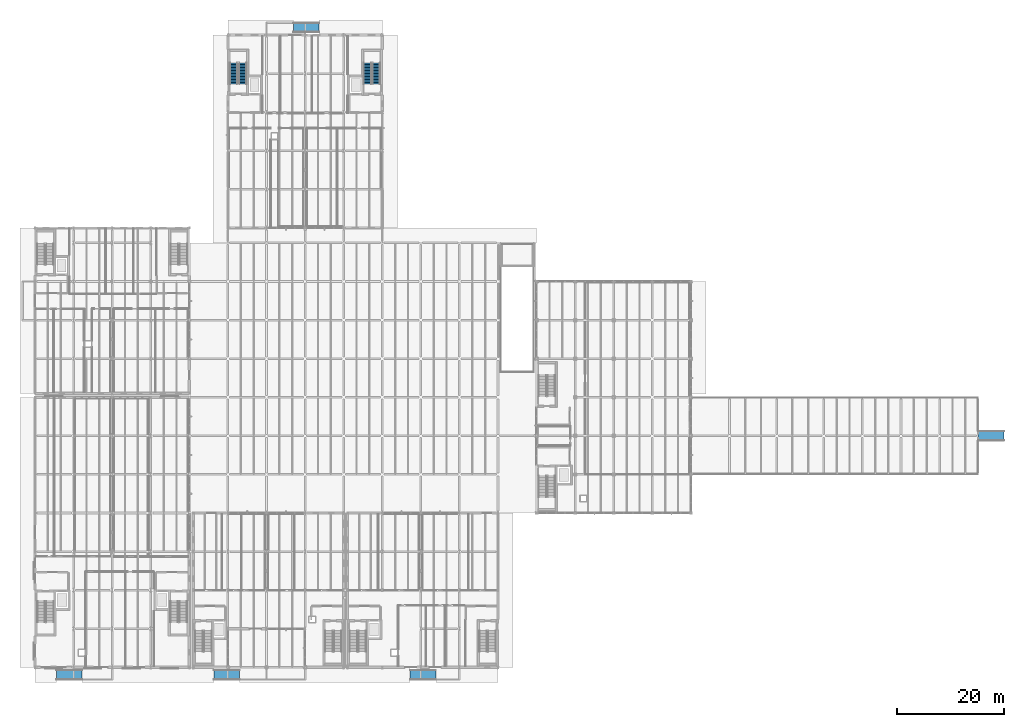
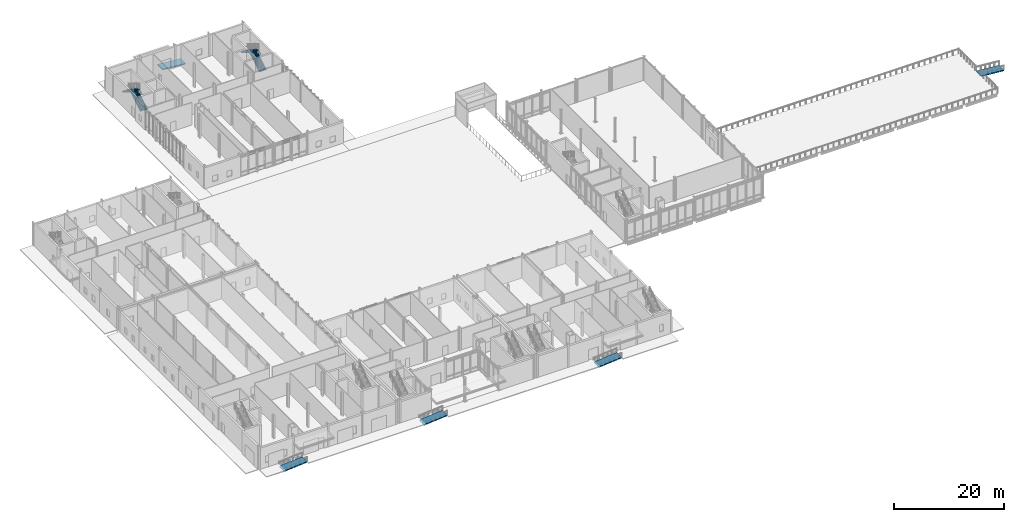
# One storey, part 72 of 89: 5 ramp flights, 4 stair flights, 7 elements without a shape of their own.
"""IFC4 building model written with IfcOpenShell, lengths in metres."""

from ifc_helpers import new_model, si_unit, direction, frame, origin, place, context, subcontext, project, spatial, polyline, outline, extrude, material, layer, layer_set, type_object, element, aggregate, save


model = new_model("IFC4")

# Units and contexts
model_context = context("Model", 3, precision=1e-05, world=origin(), true_north=direction((0.0, 1.0)))
body_context = subcontext(model_context, "Body", "Model", "MODEL_VIEW")
ifc_project = project(units=[si_unit("LENGTHUNIT", "METRE"), si_unit("AREAUNIT", "SQUARE_METRE"), si_unit("VOLUMEUNIT", "CUBIC_METRE"), si_unit("PLANEANGLEUNIT", "RADIAN"), si_unit("MASSUNIT", "GRAM", prefix="KILO")], contexts=[model_context])

# Site, building, storey
site_placement = place(None, origin())
site = spatial("IfcSite", under=ifc_project, at=site_placement, CompositionType="ELEMENT")
building_placement = place(site_placement, origin())
building = spatial("IfcBuilding", under=site, at=building_placement, Name="Zarrinpeak Specialist Clinic", CompositionType="ELEMENT")
storey_placement = place(building_placement, origin())
storey = spatial("IfcBuildingStorey", under=building, at=storey_placement, Name="L00", CompositionType="ELEMENT", Elevation=0.0)

# Stair, stair flights
ifc_material = material(Name="Concrete C35/45", Category="concrete")
stair_type = type_object("IfcStairType", Name="ST-DOG", PredefinedType="HALF_TURN_STAIR", material=ifc_material)
stair_1_placement = place(storey_placement, origin())
stair_1 = element("IfcStair", 1, at=stair_1_placement, inside=storey, type_object=stair_type, Name="L00 Protected Exit Stair ST-11", PredefinedType="HALF_TURN_STAIR")
stair_flight_type = type_object("IfcStairFlightType", Name="STF-150", PredefinedType="STRAIGHT", material=ifc_material)
stair_flight_1_placement = place(storey_placement, frame((38.75, 108.85009765625, 0.0), z_axis=(0.0, 0.0, 1.0), x_axis=(0.0, 1.0, 0.0)))
stair_flight_1 = element("IfcStairFlight", 2, at=stair_flight_1_placement, type_object=stair_flight_type, Name="ST-11 flight 1", NumberOfRisers=15, NumberOfTreads=14, PredefinedType="STRAIGHT", RiserHeight=0.173333333, TreadLength=0.28, context=body_context, shape_type="SweptSolid", body=[
    extrude(outline(polyline([(0.0, 0.0), (0.0, 0.17333984375), (0.280029296875, 0.17333984375), (0.280029296875, 0.3466796875), (0.56005859375, 0.3466796875), (0.56005859375, 0.52001953125), (0.840087890625, 0.52001953125), (0.840087890625, 0.693359375), (1.1201171875, 0.693359375), (1.1201171875, 0.86669921875), (1.39990234375, 0.86669921875), (1.39990234375, 1.0400390625), (1.679931640625, 1.0400390625), (1.679931640625, 1.21337890625), (1.9599609375, 1.21337890625), (1.9599609375, 1.38671875), (2.239990234375, 1.38671875), (2.239990234375, 1.56005859375), (2.52001953125, 1.56005859375), (2.52001953125, 1.7333984375), (2.800048828125, 1.7333984375), (2.800048828125, 1.90673828125), (3.080078125, 1.90673828125), (3.080078125, 2.080078125), (3.360107421875, 2.080078125), (3.360107421875, 2.25341796875), (3.639892578125, 2.25341796875), (3.639892578125, 2.4267578125), (3.919921875, 2.4267578125), (3.919921875, 2.60009765625), (3.919921875, 2.250244140625), (0.284912109375, 0.0), (0.0, 0.0)])), frame((0.0, 0.75, 0.0), z_axis=(0.0, -1.0, 0.0), x_axis=(1.0, 0.0, 0.0)), (0.0, 0.0, 1.0), 1.5),
])
stair_flight_2_placement = place(storey_placement, frame((37.10009765625, 112.77001953125, 2.60009765625), z_axis=(0.0, 0.0, 1.0), x_axis=(0.0, -1.0, 0.0)))
stair_flight_2 = element("IfcStairFlight", 3, at=stair_flight_2_placement, type_object=stair_flight_type, Name="ST-11 flight 2", NumberOfRisers=15, NumberOfTreads=14, PredefinedType="STRAIGHT", RiserHeight=0.173333333, TreadLength=0.28, context=body_context, shape_type="SweptSolid", body=[
    extrude(outline(polyline([(0.0, 0.0), (0.0, 0.17333984375), (0.280029296875, 0.17333984375), (0.280029296875, 0.3466796875), (0.56005859375, 0.3466796875), (0.56005859375, 0.52001953125), (0.840087890625, 0.52001953125), (0.840087890625, 0.693359375), (1.1201171875, 0.693359375), (1.1201171875, 0.86669921875), (1.39990234375, 0.86669921875), (1.39990234375, 1.0400390625), (1.679931640625, 1.0400390625), (1.679931640625, 1.21337890625), (1.9599609375, 1.21337890625), (1.9599609375, 1.38671875), (2.239990234375, 1.38671875), (2.239990234375, 1.56005859375), (2.52001953125, 1.56005859375), (2.52001953125, 1.7333984375), (2.800048828125, 1.7333984375), (2.800048828125, 1.90673828125), (3.080078125, 1.90673828125), (3.080078125, 2.080078125), (3.360107421875, 2.080078125), (3.360107421875, 2.25341796875), (3.639892578125, 2.25341796875), (3.639892578125, 2.4267578125), (3.919921875, 2.4267578125), (3.919921875, 2.60009765625), (3.919921875, 2.250244140625), (0.284912109375, 0.0), (0.0, 0.0)])), frame((0.0, 0.75, 0.0), z_axis=(0.0, -1.0, 0.0), x_axis=(1.0, 0.0, 0.0)), (0.0, 0.0, 1.0), 1.5),
])
aggregate(stair_1, [stair_flight_1, stair_flight_2])

stair_2_placement = place(storey_placement, origin())
stair_2 = element("IfcStair", 4, at=stair_2_placement, inside=storey, type_object=stair_type, Name="L00 Protected Exit Stair ST-12", PredefinedType="HALF_TURN_STAIR")
stair_flight_3_placement = place(storey_placement, frame((63.699951171875, 108.85009765625, 0.0), z_axis=(0.0, 0.0, 1.0), x_axis=(0.0, 1.0, 0.0)))
stair_flight_3 = element("IfcStairFlight", 5, at=stair_flight_3_placement, type_object=stair_flight_type, Name="ST-12 flight 1", NumberOfRisers=15, NumberOfTreads=14, PredefinedType="STRAIGHT", RiserHeight=0.173333333, TreadLength=0.28, context=body_context, shape_type="SweptSolid", body=[
    extrude(outline(polyline([(0.0, 0.0), (0.0, 0.17333984375), (0.280029296875, 0.17333984375), (0.280029296875, 0.3466796875), (0.56005859375, 0.3466796875), (0.56005859375, 0.52001953125), (0.840087890625, 0.52001953125), (0.840087890625, 0.693359375), (1.1201171875, 0.693359375), (1.1201171875, 0.86669921875), (1.39990234375, 0.86669921875), (1.39990234375, 1.0400390625), (1.679931640625, 1.0400390625), (1.679931640625, 1.21337890625), (1.9599609375, 1.21337890625), (1.9599609375, 1.38671875), (2.239990234375, 1.38671875), (2.239990234375, 1.56005859375), (2.52001953125, 1.56005859375), (2.52001953125, 1.7333984375), (2.800048828125, 1.7333984375), (2.800048828125, 1.90673828125), (3.080078125, 1.90673828125), (3.080078125, 2.080078125), (3.360107421875, 2.080078125), (3.360107421875, 2.25341796875), (3.639892578125, 2.25341796875), (3.639892578125, 2.4267578125), (3.919921875, 2.4267578125), (3.919921875, 2.60009765625), (3.919921875, 2.250244140625), (0.284912109375, 0.0), (0.0, 0.0)])), frame((0.0, 0.75, 0.0), z_axis=(0.0, -1.0, 0.0), x_axis=(1.0, 0.0, 0.0)), (0.0, 0.0, 1.0), 1.5),
])
stair_flight_4_placement = place(storey_placement, frame((62.050048828125, 112.77001953125, 2.60009765625), z_axis=(0.0, 0.0, 1.0), x_axis=(0.0, -1.0, 0.0)))
stair_flight_4 = element("IfcStairFlight", 6, at=stair_flight_4_placement, type_object=stair_flight_type, Name="ST-12 flight 2", NumberOfRisers=15, NumberOfTreads=14, PredefinedType="STRAIGHT", RiserHeight=0.173333333, TreadLength=0.28, context=body_context, shape_type="SweptSolid", body=[
    extrude(outline(polyline([(0.0, 0.0), (0.0, 0.17333984375), (0.280029296875, 0.17333984375), (0.280029296875, 0.3466796875), (0.56005859375, 0.3466796875), (0.56005859375, 0.52001953125), (0.840087890625, 0.52001953125), (0.840087890625, 0.693359375), (1.1201171875, 0.693359375), (1.1201171875, 0.86669921875), (1.39990234375, 0.86669921875), (1.39990234375, 1.0400390625), (1.679931640625, 1.0400390625), (1.679931640625, 1.21337890625), (1.9599609375, 1.21337890625), (1.9599609375, 1.38671875), (2.239990234375, 1.38671875), (2.239990234375, 1.56005859375), (2.52001953125, 1.56005859375), (2.52001953125, 1.7333984375), (2.800048828125, 1.7333984375), (2.800048828125, 1.90673828125), (3.080078125, 1.90673828125), (3.080078125, 2.080078125), (3.360107421875, 2.080078125), (3.360107421875, 2.25341796875), (3.639892578125, 2.25341796875), (3.639892578125, 2.4267578125), (3.919921875, 2.4267578125), (3.919921875, 2.60009765625), (3.919921875, 2.250244140625), (0.284912109375, 0.0), (0.0, 0.0)])), frame((0.0, 0.75, 0.0), z_axis=(0.0, -1.0, 0.0), x_axis=(1.0, 0.0, 0.0)), (0.0, 0.0, 1.0), 1.5),
])
aggregate(stair_2, [stair_flight_3, stair_flight_4])

# Ramp, ramp flight
ramp_type = type_object("IfcRampType", Name="RMP-ACC", PredefinedType="STRAIGHT_RUN_RAMP", material=ifc_material)
ramp_1_placement = place(storey_placement, origin())
ramp_1 = element("IfcRamp", 7, at=ramp_1_placement, inside=storey, type_object=ramp_type, Name="Step-Free Accessible Entrance Ramp R-ACC1", PredefinedType="STRAIGHT_RUN_RAMP")
ifc_layer = layer(ifc_material, 0.219970703125)
ifc_layer_set = layer_set([ifc_layer], Name="Concrete C35/45")
ramp_flight_type = type_object("IfcRampFlightType", Name="RFL-ACC", PredefinedType="STRAIGHT", material=ifc_layer_set)
ramp_flight_1_placement = place(storey_placement, frame((4.0, -1.39990234375, -0.39990234375), z_axis=(0.0, 0.0, 1.0), x_axis=(1.0, 0.0, 0.0)))
ramp_flight_1 = element("IfcRampFlight", 8, at=ramp_flight_1_placement, type_object=ramp_flight_type, Name="Accessible Ramp Flight R-ACC1-FL1", PredefinedType="STRAIGHT", context=body_context, shape_type="SweptSolid", body=[
    extrude(outline(polyline([(0.0, 0.0), (0.0, -0.219970703125), (4.800048828125, 0.179931640625), (4.800048828125, 0.39990234375), (0.0, 0.0)])), frame((0.0, 0.89990234375, 0.0), z_axis=(0.0, -1.0, 0.0), x_axis=(1.0, 0.0, 0.0)), (0.0, 0.0, 1.0), 1.800048828125),
])
aggregate(ramp_1, [ramp_flight_1])

ramp_2_placement = place(storey_placement, origin())
ramp_2 = element("IfcRamp", 9, at=ramp_2_placement, inside=storey, type_object=ramp_type, Name="Step-Free Accessible Entrance Ramp R-ACC2", PredefinedType="STRAIGHT_RUN_RAMP")
ramp_flight_2_placement = place(storey_placement, frame((33.39990234375, -1.39990234375, -0.39990234375), z_axis=(0.0, 0.0, 1.0), x_axis=(1.0, 0.0, 0.0)))
ramp_flight_2 = element("IfcRampFlight", 10, at=ramp_flight_2_placement, type_object=ramp_flight_type, Name="Accessible Ramp Flight R-ACC2-FL1", PredefinedType="STRAIGHT", context=body_context, shape_type="SweptSolid", body=[
    extrude(outline(polyline([(0.0, 0.0), (0.0, -0.219970703125), (4.800048828125, 0.179931640625), (4.800048828125, 0.39990234375), (0.0, 0.0)])), frame((0.0, 0.89990234375, 0.0), z_axis=(0.0, -1.0, 0.0), x_axis=(1.0, 0.0, 0.0)), (0.0, 0.0, 1.0), 1.800048828125),
])
aggregate(ramp_2, [ramp_flight_2])

ramp_3_placement = place(storey_placement, origin())
ramp_3 = element("IfcRamp", 11, at=ramp_3_placement, inside=storey, type_object=ramp_type, Name="Step-Free Accessible Entrance Ramp R-ACC3", PredefinedType="STRAIGHT_RUN_RAMP")
ramp_flight_3_placement = place(storey_placement, frame((70.0, -1.39990234375, -0.39990234375), z_axis=(0.0, 0.0, 1.0), x_axis=(1.0, 0.0, 0.0)))
ramp_flight_3 = element("IfcRampFlight", 12, at=ramp_flight_3_placement, type_object=ramp_flight_type, Name="Accessible Ramp Flight R-ACC3-FL1", PredefinedType="STRAIGHT", context=body_context, shape_type="SweptSolid", body=[
    extrude(outline(polyline([(0.0, 0.0), (0.0, -0.219970703125), (4.800048828125, 0.179931640625), (4.800048828125, 0.39990234375), (0.0, 0.0)])), frame((0.0, 0.89990234375, 0.0), z_axis=(0.0, -1.0, 0.0), x_axis=(1.0, 0.0, 0.0)), (0.0, 0.0, 1.0), 1.800048828125),
])
aggregate(ramp_3, [ramp_flight_3])

ramp_4_placement = place(storey_placement, origin())
ramp_4 = element("IfcRamp", 13, at=ramp_4_placement, inside=storey, type_object=ramp_type, Name="Step-Free Accessible Entrance Ramp R-ACC4", PredefinedType="STRAIGHT_RUN_RAMP")
ramp_flight_4_placement = place(storey_placement, frame((180.800048828125, 43.199951171875, -0.39990234375), z_axis=(0.0, 0.0, 1.0), x_axis=(-1.0, 0.0, 0.0)))
ramp_flight_4 = element("IfcRampFlight", 14, at=ramp_flight_4_placement, type_object=ramp_flight_type, Name="Accessible Ramp Flight R-ACC4-FL1", PredefinedType="STRAIGHT", context=body_context, shape_type="SweptSolid", body=[
    extrude(outline(polyline([(0.0, 0.0), (0.0, -0.219970703125), (4.800048828125, 0.179931640625), (4.800048828125, 0.39990234375), (0.0, 0.0)])), frame((0.0, 0.89990234375, 0.0), z_axis=(0.0, -1.0, 0.0), x_axis=(1.0, 0.0, 0.0)), (0.0, 0.0, 1.0), 1.800048828125),
])
aggregate(ramp_4, [ramp_flight_4])

ramp_5_placement = place(storey_placement, origin())
ramp_5 = element("IfcRamp", 15, at=ramp_5_placement, inside=storey, type_object=ramp_type, Name="Step-Free Accessible Entrance Ramp R-ACC5", PredefinedType="STRAIGHT_RUN_RAMP")
ramp_flight_5_placement = place(storey_placement, frame((53.0, 119.39990234375, -0.39990234375), z_axis=(0.0, 0.0, 1.0), x_axis=(-1.0, 0.0, 0.0)))
ramp_flight_5 = element("IfcRampFlight", 16, at=ramp_flight_5_placement, type_object=ramp_flight_type, Name="Accessible Ramp Flight R-ACC5-FL1", PredefinedType="STRAIGHT", context=body_context, shape_type="SweptSolid", body=[
    extrude(outline(polyline([(0.0, 0.0), (0.0, -0.219970703125), (4.800048828125, 0.179931640625), (4.800048828125, 0.39990234375), (0.0, 0.0)])), frame((0.0, 0.89990234375, 0.0), z_axis=(0.0, -1.0, 0.0), x_axis=(1.0, 0.0, 0.0)), (0.0, 0.0, 1.0), 1.800048828125),
])
aggregate(ramp_5, [ramp_flight_5])

save(model, "model.ifc")
